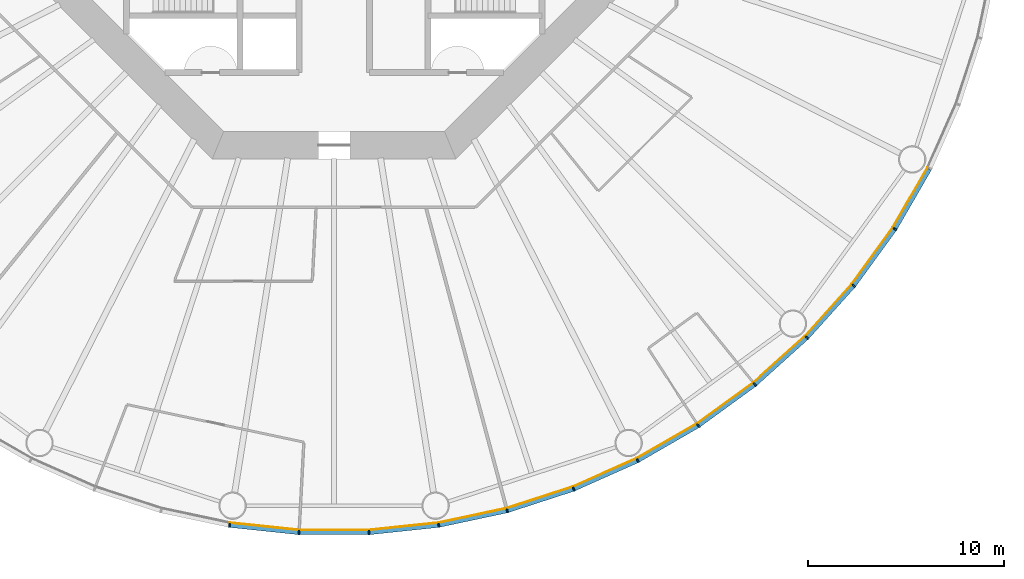
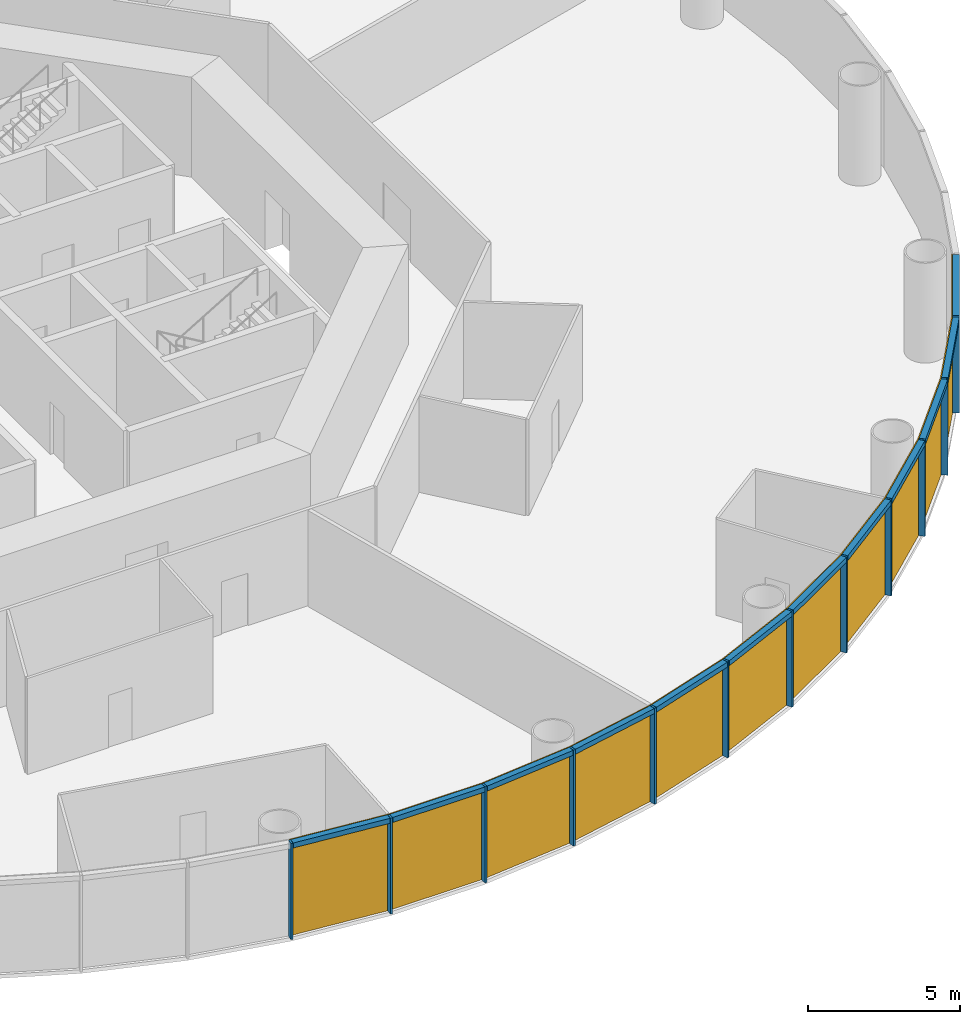
# One storey, part 8 of 13: 24 members, 4 curtain walls.
"""IFC4 building model written with IfcOpenShell, lengths in metres."""

from ifc_helpers import new_model, si_unit, direction, frame, origin, origin_2d, place, context, subcontext, project, spatial, polyline, rectangle, outline, extrude, material, layer, layer_set, material_profile, profile_set, type_object, element, aggregate, save


model = new_model("IFC4")

# Units and contexts
model_context = context("Model", 3, precision=1e-05, world=origin(), true_north=direction((0.0, 1.0)))
body_context = subcontext(model_context, "Body", "Model", "MODEL_VIEW")
ifc_project = project(units=[si_unit("LENGTHUNIT", "METRE"), si_unit("AREAUNIT", "SQUARE_METRE"), si_unit("VOLUMEUNIT", "CUBIC_METRE"), si_unit("PLANEANGLEUNIT", "RADIAN"), si_unit("MASSUNIT", "GRAM", prefix="KILO")], contexts=[model_context])

# Member
ifc_material_1 = material(Name="Anodised aluminium", Category="aluminium")
ifc_material_profile_1 = material_profile(ifc_material_1, rectangle(XDim=0.074951171875, YDim=0.219970703125, at=origin_2d()), Name="Mullion 75 x 220 mm anodised aluminium")
ifc_profile_set_1 = profile_set([ifc_material_profile_1], Name="Anodised aluminium")
member_type_1 = type_object("IfcMemberType", Name="Mullion 75 x 220 mm anodised aluminium", PredefinedType="MULLION", material=ifc_profile_set_1)
site_placement = place(None, origin())
building_placement = place(site_placement, origin())
storey_placement = place(building_placement, frame((0.0, 0.0, 26.0)))
member_1_placement = place(storey_placement, frame((84.6640625, 46.31005859375, 0.0), z_axis=(0.0, 0.0, 1.0), x_axis=(0.987688340595, -0.15643446504, 0.0)))
member_1 = element("IfcMember", 1, at=member_1_placement, type_object=member_type_1, Name="MULLION L04-42", PredefinedType="MULLION", context=body_context, shape_type="SweptSolid", body=[
    extrude(rectangle(XDim=0.074951171875, YDim=0.219970703125, at=origin_2d()), origin(), (0.0, 0.0, 1.0), 3.85009765625),
])

member_2_placement = place(storey_placement, frame((88.21484375, 45.936767578125, 0.0), z_axis=(0.0, 0.0, 1.0), x_axis=(0.998629534755, -0.052335956243, 0.0)))
member_2 = element("IfcMember", 2, at=member_2_placement, type_object=member_type_1, Name="MULLION L04-43", PredefinedType="MULLION", context=body_context, shape_type="SweptSolid", body=[
    extrude(rectangle(XDim=0.074951171875, YDim=0.219970703125, at=origin_2d()), origin(), (0.0, 0.0, 1.0), 3.85009765625),
])

member_3_placement = place(storey_placement, frame((91.78515625, 45.936767578125, 0.0), z_axis=(0.0, 0.0, 1.0), x_axis=(0.998629534755, 0.052335956243, 0.0)))
member_3 = element("IfcMember", 3, at=member_3_placement, type_object=member_type_1, Name="MULLION L04-44", PredefinedType="MULLION", context=body_context, shape_type="SweptSolid", body=[
    extrude(rectangle(XDim=0.074951171875, YDim=0.219970703125, at=origin_2d()), origin(), (0.0, 0.0, 1.0), 3.85009765625),
])

member_4_placement = place(storey_placement, frame((95.3359375, 46.31005859375, 0.0), z_axis=(0.0, 0.0, 1.0), x_axis=(0.987688340595, 0.15643446504, 0.0)))
member_4 = element("IfcMember", 4, at=member_4_placement, type_object=member_type_1, Name="MULLION L04-45", PredefinedType="MULLION", context=body_context, shape_type="SweptSolid", body=[
    extrude(rectangle(XDim=0.074951171875, YDim=0.219970703125, at=origin_2d()), origin(), (0.0, 0.0, 1.0), 3.85009765625),
])

member_5_placement = place(storey_placement, frame((98.828369140625, 47.05224609375, 0.0), z_axis=(0.0, 0.0, 1.0), x_axis=(0.965925826289, 0.258819045103, 0.0)))
member_5 = element("IfcMember", 5, at=member_5_placement, type_object=member_type_1, Name="MULLION L04-46", PredefinedType="MULLION", context=body_context, shape_type="SweptSolid", body=[
    extrude(rectangle(XDim=0.074951171875, YDim=0.219970703125, at=origin_2d()), origin(), (0.0, 0.0, 1.0), 3.85009765625),
])

member_6_placement = place(storey_placement, frame((102.223876953125, 48.155517578125, 0.0), z_axis=(0.0, 0.0, 1.0), x_axis=(0.933580426497, 0.358367949545, 0.0)))
member_6 = element("IfcMember", 6, at=member_6_placement, type_object=member_type_1, Name="MULLION L04-47", PredefinedType="MULLION", context=body_context, shape_type="SweptSolid", body=[
    extrude(rectangle(XDim=0.074951171875, YDim=0.219970703125, at=origin_2d()), origin(), (0.0, 0.0, 1.0), 3.85009765625),
])

member_7_placement = place(storey_placement, frame((105.485595703125, 49.607666015625, 0.0), z_axis=(0.0, 0.0, 1.0), x_axis=(0.891006524188, 0.45399049974, 0.0)))
member_7 = element("IfcMember", 7, at=member_7_placement, type_object=member_type_1, Name="MULLION L04-48", PredefinedType="MULLION", context=body_context, shape_type="SweptSolid", body=[
    extrude(rectangle(XDim=0.074951171875, YDim=0.219970703125, at=origin_2d()), origin(), (0.0, 0.0, 1.0), 3.85009765625),
])

member_8_placement = place(storey_placement, frame((108.57763671875, 51.39306640625, 0.0), z_axis=(0.0, 0.0, 1.0), x_axis=(0.838670567945, 0.544639035015, 0.0)))
member_8 = element("IfcMember", 8, at=member_8_placement, type_object=member_type_1, Name="MULLION L04-49", PredefinedType="MULLION", context=body_context, shape_type="SweptSolid", body=[
    extrude(rectangle(XDim=0.074951171875, YDim=0.219970703125, at=origin_2d()), origin(), (0.0, 0.0, 1.0), 3.85009765625),
])

member_9_placement = place(storey_placement, frame((111.466064453125, 53.491455078125, 0.0), z_axis=(0.0, 0.0, 1.0), x_axis=(0.777145961457, 0.62932039105, 0.0)))
member_9 = element("IfcMember", 9, at=member_9_placement, type_object=member_type_1, Name="MULLION L04-50", PredefinedType="MULLION", context=body_context, shape_type="SweptSolid", body=[
    extrude(rectangle(XDim=0.074951171875, YDim=0.219970703125, at=origin_2d()), origin(), (0.0, 0.0, 1.0), 3.85009765625),
])

member_10_placement = place(storey_placement, frame((114.119384765625, 55.880615234375, 0.0), z_axis=(0.0, 0.0, 1.0), x_axis=(0.707106781187, 0.707106781187, 0.0)))
member_10 = element("IfcMember", 10, at=member_10_placement, type_object=member_type_1, Name="MULLION L04-51", PredefinedType="MULLION", context=body_context, shape_type="SweptSolid", body=[
    extrude(rectangle(XDim=0.074951171875, YDim=0.219970703125, at=origin_2d()), origin(), (0.0, 0.0, 1.0), 3.85009765625),
])

member_11_placement = place(storey_placement, frame((116.508544921875, 58.533935546875, 0.0), z_axis=(0.0, 0.0, 1.0), x_axis=(0.62932039105, 0.777145961457, 0.0)))
member_11 = element("IfcMember", 11, at=member_11_placement, type_object=member_type_1, Name="MULLION L04-52", PredefinedType="MULLION", context=body_context, shape_type="SweptSolid", body=[
    extrude(rectangle(XDim=0.074951171875, YDim=0.219970703125, at=origin_2d()), origin(), (0.0, 0.0, 1.0), 3.85009765625),
])

member_12_placement = place(storey_placement, frame((118.60693359375, 61.42236328125, 0.0), z_axis=(0.0, 0.0, 1.0), x_axis=(0.544639035015, 0.838670567945, 0.0)))
member_12 = element("IfcMember", 12, at=member_12_placement, type_object=member_type_1, Name="MULLION L04-53", PredefinedType="MULLION", context=body_context, shape_type="SweptSolid", body=[
    extrude(rectangle(XDim=0.074951171875, YDim=0.219970703125, at=origin_2d()), origin(), (0.0, 0.0, 1.0), 3.85009765625),
])

ifc_material_2 = material(Name="Anodised aluminium", Category="aluminium")
ifc_material_profile_2 = material_profile(ifc_material_2, rectangle(XDim=0.219970703125, YDim=0.199951171875, at=origin_2d()), Name="Transom 200 x 220 mm anodised aluminium")
ifc_profile_set_2 = profile_set([ifc_material_profile_2], Name="Anodised aluminium")
member_type_2 = type_object("IfcMemberType", Name="Transom 200 x 220 mm anodised aluminium", PredefinedType="USERDEFINED", material=ifc_profile_set_2)
member_13_placement = place(storey_placement, frame((84.70703125, 46.30517578125, 3.75), z_axis=(0.994526551648, -0.104484152234, 0.0), x_axis=(0.104484152234, 0.994526551648, 0.0)))
member_13 = element("IfcMember", 13, at=member_13_placement, type_object=member_type_2, Name="TRANSOM L04-42", ObjectType="TRANSOM", PredefinedType="USERDEFINED", context=body_context, shape_type="SweptSolid", body=[
    extrude(rectangle(XDim=0.219970703125, YDim=0.199951171875, at=origin_2d()), origin(), (0.0, 0.0, 1.0), 3.48388671875),
])

member_14_placement = place(storey_placement, frame((88.258056640625, 45.9365234375, 3.75), z_axis=(1.0, 0.0, 0.0), x_axis=(0.0, 1.0, 0.0)))
member_14 = element("IfcMember", 14, at=member_14_placement, type_object=member_type_2, Name="TRANSOM L04-43", ObjectType="TRANSOM", PredefinedType="USERDEFINED", context=body_context, shape_type="SweptSolid", body=[
    extrude(rectangle(XDim=0.219970703125, YDim=0.199951171875, at=origin_2d()), origin(), (0.0, 0.0, 1.0), 3.48388671875),
])

member_15_placement = place(storey_placement, frame((91.828125, 45.941162109375, 3.75), z_axis=(0.994526551648, 0.104484152234, 0.0), x_axis=(-0.104484152234, 0.994526551648, 0.0)))
member_15 = element("IfcMember", 15, at=member_15_placement, type_object=member_type_2, Name="TRANSOM L04-44", ObjectType="TRANSOM", PredefinedType="USERDEFINED", context=body_context, shape_type="SweptSolid", body=[
    extrude(rectangle(XDim=0.219970703125, YDim=0.199951171875, at=origin_2d()), origin(), (0.0, 0.0, 1.0), 3.48388671875),
])

member_16_placement = place(storey_placement, frame((95.37841796875, 46.31884765625, 3.75), z_axis=(0.978145669426, 0.207920776701, 0.0), x_axis=(-0.207920776701, 0.978145669426, 0.0)))
member_16 = element("IfcMember", 16, at=member_16_placement, type_object=member_type_2, Name="TRANSOM L04-45", ObjectType="TRANSOM", PredefinedType="USERDEFINED", context=body_context, shape_type="SweptSolid", body=[
    extrude(rectangle(XDim=0.219970703125, YDim=0.199951171875, at=origin_2d()), origin(), (0.0, 0.0, 1.0), 3.48388671875),
])

member_17_placement = place(storey_placement, frame((98.869384765625, 47.0654296875, 3.75), z_axis=(0.951052605696, 0.309029029702, 0.0), x_axis=(-0.309029029702, 0.951052605696, 0.0)))
member_17 = element("IfcMember", 17, at=member_17_placement, type_object=member_type_2, Name="TRANSOM L04-46", ObjectType="TRANSOM", PredefinedType="USERDEFINED", context=body_context, shape_type="SweptSolid", body=[
    extrude(rectangle(XDim=0.219970703125, YDim=0.199951171875, at=origin_2d()), origin(), (0.0, 0.0, 1.0), 3.484130859375),
])

member_18_placement = place(storey_placement, frame((102.263427734375, 48.173095703125, 3.75), z_axis=(0.913545487371, 0.406736576304, 0.0), x_axis=(-0.406736576304, 0.913545487371, 0.0)))
member_18 = element("IfcMember", 18, at=member_18_placement, type_object=member_type_2, Name="TRANSOM L04-47", ObjectType="TRANSOM", PredefinedType="USERDEFINED", context=body_context, shape_type="SweptSolid", body=[
    extrude(rectangle(XDim=0.219970703125, YDim=0.199951171875, at=origin_2d()), origin(), (0.0, 0.0, 1.0), 3.48388671875),
])

member_19_placement = place(storey_placement, frame((105.523193359375, 49.629150390625, 3.75), z_axis=(0.866022206254, 0.500005538244, 0.0), x_axis=(-0.500005538244, 0.866022206254, 0.0)))
member_19 = element("IfcMember", 19, at=member_19_placement, type_object=member_type_2, Name="TRANSOM L04-48", ObjectType="TRANSOM", PredefinedType="USERDEFINED", context=body_context, shape_type="SweptSolid", body=[
    extrude(rectangle(XDim=0.219970703125, YDim=0.199951171875, at=origin_2d()), origin(), (0.0, 0.0, 1.0), 3.48388671875),
])

member_20_placement = place(storey_placement, frame((108.61279296875, 51.418212890625, 3.75), z_axis=(0.80899056535, 0.587821627006, 0.0), x_axis=(-0.587821627006, 0.80899056535, 0.0)))
member_20 = element("IfcMember", 20, at=member_20_placement, type_object=member_type_2, Name="TRANSOM L04-49", ObjectType="TRANSOM", PredefinedType="USERDEFINED", context=body_context, shape_type="SweptSolid", body=[
    extrude(rectangle(XDim=0.219970703125, YDim=0.199951171875, at=origin_2d()), origin(), (0.0, 0.0, 1.0), 3.48388671875),
])

member_21_placement = place(storey_placement, frame((111.498291015625, 53.520263671875, 3.75), z_axis=(0.743137329876, 0.669138930974, 0.0), x_axis=(-0.669138930974, 0.743137329876, 0.0)))
member_21 = element("IfcMember", 21, at=member_21_placement, type_object=member_type_2, Name="TRANSOM L04-50", ObjectType="TRANSOM", PredefinedType="USERDEFINED", context=body_context, shape_type="SweptSolid", body=[
    extrude(rectangle(XDim=0.219970703125, YDim=0.199951171875, at=origin_2d()), origin(), (0.0, 0.0, 1.0), 3.484130859375),
])

member_22_placement = place(storey_placement, frame((114.1484375, 55.91259765625, 3.75), z_axis=(0.669138930974, 0.743137329876, 0.0), x_axis=(-0.743137329876, 0.669138930974, 0.0)))
member_22 = element("IfcMember", 22, at=member_22_placement, type_object=member_type_2, Name="TRANSOM L04-51", ObjectType="TRANSOM", PredefinedType="USERDEFINED", context=body_context, shape_type="SweptSolid", body=[
    extrude(rectangle(XDim=0.219970703125, YDim=0.199951171875, at=origin_2d()), origin(), (0.0, 0.0, 1.0), 3.484130859375),
])

member_23_placement = place(storey_placement, frame((116.533935546875, 58.56884765625, 3.75), z_axis=(0.587821627006, 0.80899056535, 0.0), x_axis=(-0.80899056535, 0.587821627006, 0.0)))
member_23 = element("IfcMember", 23, at=member_23_placement, type_object=member_type_2, Name="TRANSOM L04-52", ObjectType="TRANSOM", PredefinedType="USERDEFINED", context=body_context, shape_type="SweptSolid", body=[
    extrude(rectangle(XDim=0.219970703125, YDim=0.199951171875, at=origin_2d()), origin(), (0.0, 0.0, 1.0), 3.48388671875),
])

member_24_placement = place(storey_placement, frame((118.62890625, 61.459716796875, 3.75), z_axis=(0.500005538244, 0.866022206254, 0.0), x_axis=(-0.866022206254, 0.500005538244, 0.0)))
member_24 = element("IfcMember", 24, at=member_24_placement, type_object=member_type_2, Name="TRANSOM L04-53", ObjectType="TRANSOM", PredefinedType="USERDEFINED", context=body_context, shape_type="SweptSolid", body=[
    extrude(rectangle(XDim=0.219970703125, YDim=0.199951171875, at=origin_2d()), origin(), (0.0, 0.0, 1.0), 3.48388671875),
])

# Site, building, storey
site = spatial("IfcSite", under=ifc_project, at=site_placement, CompositionType="ELEMENT")
building = spatial("IfcBuilding", under=site, at=building_placement, Name="Entoto Ring Tower", CompositionType="ELEMENT")
storey = spatial("IfcBuildingStorey", under=building, at=storey_placement, Name="L04", CompositionType="ELEMENT", Elevation=26.0)

# Curtain wall
ifc_material_3 = material(Name="Clear low-iron glass", Category="glass")
ifc_layer = layer(ifc_material_3, 0.0400390625)
ifc_layer_set = layer_set([ifc_layer], Name="Clear low-iron glass")
curtain_wall_type = type_object("IfcCurtainWallType", Name="Curtain wall system CW1 glazing 40 mm", PredefinedType="NOTDEFINED", material=ifc_layer_set)
curtain_wall_1_placement = place(storey_placement, origin())
curtain_wall_1 = element("IfcCurtainWall", 25, at=curtain_wall_1_placement, inside=storey, type_object=curtain_wall_type, Name="CW1 L04-15", PredefinedType="NOTDEFINED", context=body_context, shape_type="SweptSolid", body=[
    extrude(outline(polyline([(84.68115234375, 46.418701171875), (88.220458984375, 46.046630859375), (91.779541015625, 46.046630859375), (95.31884765625, 46.418701171875), (95.3125, 46.458251953125), (91.77734375, 46.086669921875), (88.22265625, 46.086669921875), (84.6875, 46.458251953125), (84.68115234375, 46.418701171875)])), origin(), (0.0, 0.0, 1.0), 3.85009765625),
])

aggregate(curtain_wall_1, [member_1, member_2, member_3, member_13, member_14, member_15])

curtain_wall_2_placement = place(storey_placement, origin())
curtain_wall_2 = element("IfcCurtainWall", 26, at=curtain_wall_2_placement, inside=storey, type_object=curtain_wall_type, Name="CW1 L04-16", PredefinedType="NOTDEFINED", context=body_context, shape_type="SweptSolid", body=[
    extrude(outline(polyline([(95.31884765625, 46.418701171875), (98.7998046875, 47.158447265625), (102.1845703125, 48.25830078125), (105.435791015625, 49.705810546875), (105.41748046875, 49.741455078125), (102.170166015625, 48.295654296875), (98.78955078125, 47.197265625), (95.3125, 46.458251953125), (95.31884765625, 46.418701171875)])), origin(), (0.0, 0.0, 1.0), 3.85009765625),
])

aggregate(curtain_wall_2, [member_4, member_5, member_6, member_16, member_17, member_18])

curtain_wall_3_placement = place(storey_placement, origin())
curtain_wall_3 = element("IfcCurtainWall", 27, at=curtain_wall_3_placement, inside=storey, type_object=curtain_wall_type, Name="CW1 L04-17", PredefinedType="NOTDEFINED", context=body_context, shape_type="SweptSolid", body=[
    extrude(outline(polyline([(105.435791015625, 49.705810546875), (108.517822265625, 51.485107421875), (111.39697265625, 53.5771484375), (114.041748046875, 55.958251953125), (114.013427734375, 55.986572265625), (111.37158203125, 53.608154296875), (108.495849609375, 51.518798828125), (105.41748046875, 49.741455078125), (105.435791015625, 49.705810546875)])), origin(), (0.0, 0.0, 1.0), 3.85009765625),
])

aggregate(curtain_wall_3, [member_7, member_8, member_9, member_19, member_20, member_21])

curtain_wall_4_placement = place(storey_placement, origin())
curtain_wall_4 = element("IfcCurtainWall", 28, at=curtain_wall_4_placement, inside=storey, type_object=curtain_wall_type, Name="CW1 L04-18", PredefinedType="NOTDEFINED", context=body_context, shape_type="SweptSolid", body=[
    extrude(outline(polyline([(114.041748046875, 55.958251953125), (116.4228515625, 58.60302734375), (118.514892578125, 61.482177734375), (120.294189453125, 64.564208984375), (120.258544921875, 64.58251953125), (118.481201171875, 61.504150390625), (116.391845703125, 58.62841796875), (114.013427734375, 55.986572265625), (114.041748046875, 55.958251953125)])), origin(), (0.0, 0.0, 1.0), 3.85009765625),
])

aggregate(curtain_wall_4, [member_10, member_11, member_12, member_22, member_23, member_24])

save(model, "model.ifc")
